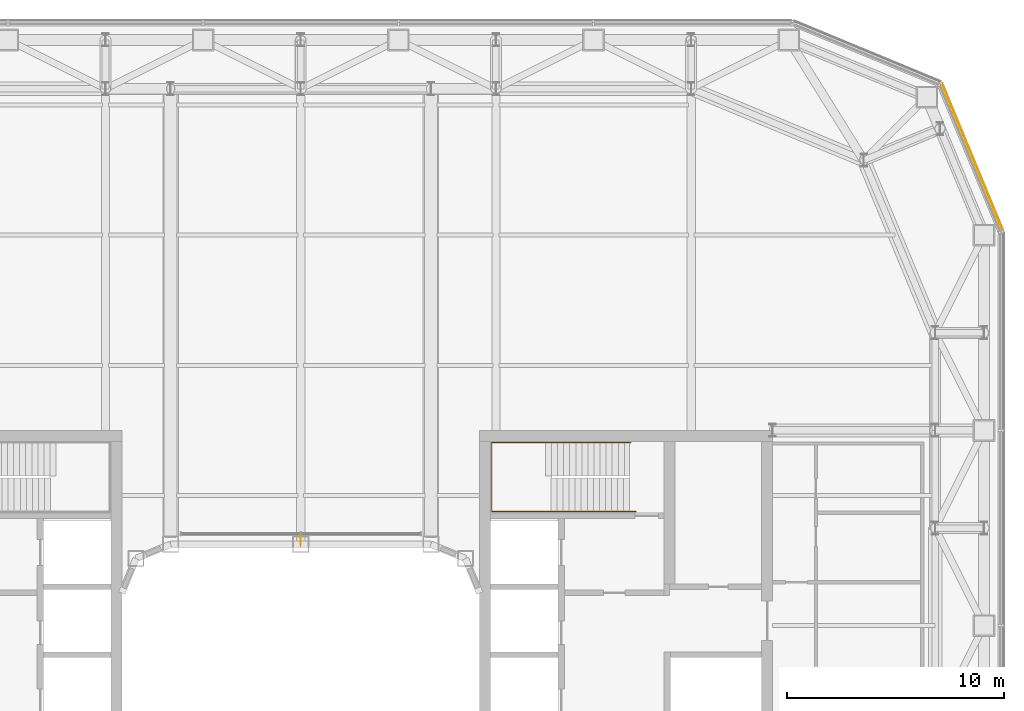
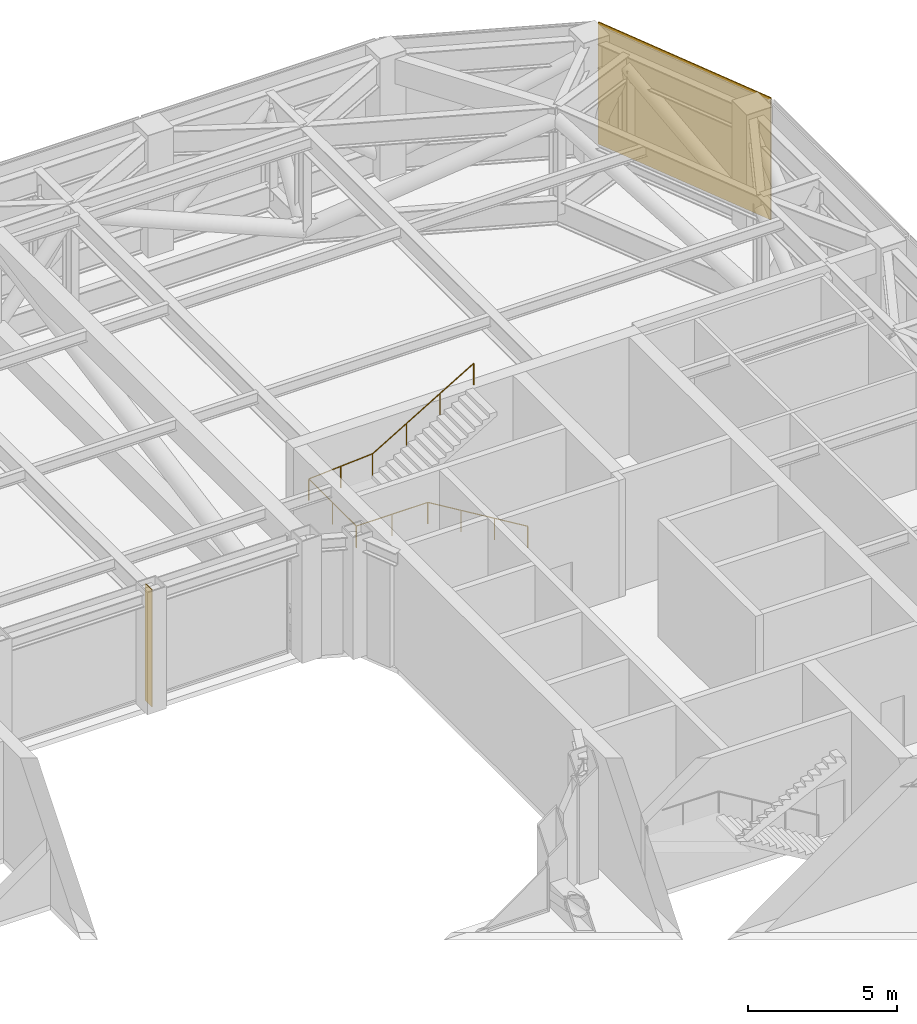
# One storey, part 32 of 33: 1 covering, 1 railing, 1 shading device.
"""IFC4 building model written with IfcOpenShell, lengths in metres."""

from ifc_helpers import new_model, si_unit, direction, frame, origin, origin_2d, place, context, subcontext, project, spatial, rectangle, circle, extrude, material, layer, layer_set, type_object, element, save


model = new_model("IFC4")

# Units and contexts
model_context = context("Model", 3, precision=1e-05, world=origin(), true_north=direction((0.0, 1.0)))
body_context = subcontext(model_context, "Body", "Model", "MODEL_VIEW")
ifc_project = project(units=[si_unit("LENGTHUNIT", "METRE"), si_unit("AREAUNIT", "SQUARE_METRE"), si_unit("VOLUMEUNIT", "CUBIC_METRE"), si_unit("PLANEANGLEUNIT", "RADIAN"), si_unit("MASSUNIT", "GRAM", prefix="KILO")], contexts=[model_context])

# Site, building, storey
site_placement = place(None, origin())
site = spatial("IfcSite", under=ifc_project, at=site_placement, CompositionType="ELEMENT")
building_placement = place(site_placement, origin())
building = spatial("IfcBuilding", under=site, at=building_placement, Name="Siwar Civic Tower", CompositionType="ELEMENT")
storey_placement = place(building_placement, frame((0.0, 0.0, 94.199951171875)))
storey = spatial("IfcBuildingStorey", under=building, at=storey_placement, Name="L20", CompositionType="ELEMENT", Elevation=94.199951171875)

# Railing
ifc_material_1 = material(Name="Stainless steel", Category="steel")
railing_type = type_object("IfcRailingType", Name="CORE-STAIR-HANDRAIL", PredefinedType="HANDRAIL", material=ifc_material_1)
railing_placement = place(storey_placement, frame((15.449951171875, 9.758056640625, 0.166748046875)))
element("IfcRailing", 1, at=railing_placement, inside=storey, type_object=railing_type, Name="Stair handrail ST3", PredefinedType="HANDRAIL", context=body_context, shape_type="SweptSolid", body=[
    extrude(circle(Radius=0.02001953125, at=origin_2d()), frame((0.0, 0.0, 0.8798828125), z_axis=(-0.856384976194, 0.0, 0.516337847296), x_axis=(0.0, -1.0, 0.0)), (0.0, 0.0, 1.0), 4.518798828125),
    extrude(circle(Radius=0.02001953125, at=origin_2d()), frame((-3.869873046875, 0.0, 3.213134765625), z_axis=(-1.0, 0.0, 0.0), x_axis=(0.0, -1.0, 0.0)), (0.0, 0.0, 1.0), 2.77197265625),
    extrude(circle(Radius=0.02001953125, at=origin_2d()), frame((-6.641845703125, 0.0, 3.213134765625), z_axis=(0.0, 1.0, 0.0), x_axis=(-1.0, 0.0, 0.0)), (0.0, 0.0, 1.0), 3.183837890625),
    extrude(circle(Radius=0.02001953125, at=origin_2d()), frame((-6.641845703125, 3.183837890625, 3.213134765625), z_axis=(0.997732526271, 0.0, 0.067303833624), x_axis=(0.0, 1.0, 0.0)), (0.0, 0.0, 1.0), 2.4775390625),
    extrude(circle(Radius=0.02001953125, at=origin_2d()), frame((-4.169921875, 3.183837890625, 3.3798828125), z_axis=(0.859296244711, 0.0, 0.511478214419), x_axis=(0.0, 1.0, 0.0)), (0.0, 0.0, 1.0), 4.561767578125),
    extrude(circle(Radius=0.02001953125, at=origin_2d()), origin(), (0.0, 0.0, 1.0), 0.85986328125),
    extrude(circle(Radius=0.02001953125, at=origin_2d()), frame((-1.2900390625, 0.0, 0.77783203125)), (0.0, 0.0, 1.0), 0.85986328125),
    extrude(circle(Radius=0.02001953125, at=origin_2d()), frame((-2.579833984375, 0.0, 1.555419921875)), (0.0, 0.0, 1.0), 0.85986328125),
    extrude(circle(Radius=0.02001953125, at=origin_2d()), frame((-3.869873046875, 0.0, 2.333251953125)), (0.0, 0.0, 1.0), 0.85986328125),
    extrude(circle(Radius=0.02001953125, at=origin_2d()), frame((-5.255859375, 0.0, 2.333251953125)), (0.0, 0.0, 1.0), 0.85986328125),
    extrude(circle(Radius=0.02001953125, at=origin_2d()), frame((-6.641845703125, 0.0, 2.333251953125)), (0.0, 0.0, 1.0), 0.85986328125),
    extrude(circle(Radius=0.02001953125, at=origin_2d()), frame((-6.641845703125, 1.591796875, 2.333251953125)), (0.0, 0.0, 1.0), 0.85986328125),
    extrude(circle(Radius=0.02001953125, at=origin_2d()), frame((-6.641845703125, 3.183837890625, 2.333251953125)), (0.0, 0.0, 1.0), 0.85986328125),
    extrude(circle(Radius=0.02001953125, at=origin_2d()), frame((-5.40576171875, 3.183837890625, 2.41650390625)), (0.0, 0.0, 1.0), 0.85986328125),
    extrude(circle(Radius=0.02001953125, at=origin_2d()), frame((-4.169921875, 3.183837890625, 2.5)), (0.0, 0.0, 1.0), 0.85986328125),
    extrude(circle(Radius=0.02001953125, at=origin_2d()), frame((-2.86328125, 3.183837890625, 3.27783203125)), (0.0, 0.0, 1.0), 0.85986328125),
    extrude(circle(Radius=0.02001953125, at=origin_2d()), frame((-1.556640625, 3.183837890625, 4.055419921875)), (0.0, 0.0, 1.0), 0.85986328125),
    extrude(circle(Radius=0.02001953125, at=origin_2d()), frame((-0.25, 3.183837890625, 4.833251953125)), (0.0, 0.0, 1.0), 0.85986328125),
])

# Shading device
ifc_material_2 = material(Name="Aluminium 6063-T6", Category="aluminium")
ifc_layer_1 = layer(ifc_material_2, 0.02001953125)
ifc_layer_set_1 = layer_set([ifc_layer_1], Name="Aluminium 6063-T6")
shading_device_type = type_object("IfcShadingDeviceType", Name="ENV-FIN", PredefinedType="JALOUSIE", material=ifc_layer_set_1)
shading_device_placement = place(storey_placement, frame((0.0, 8.419921875, 0.0), z_axis=(0.0, 0.0, 1.0), x_axis=(-1.0, 0.0, 0.0)))
element("IfcShadingDevice", 2, at=shading_device_placement, inside=storey, type_object=shading_device_type, Name="SUNSHADE fin WN-00 1", PredefinedType="JALOUSIE", context=body_context, shape_type="SweptSolid", body=[
    extrude(rectangle(XDim=0.02001953125, YDim=0.449951171875, at=origin_2d()), origin(), (0.0, 0.0, 1.0), 4.800048828125),
])

# Covering
ifc_material_3 = material(Name="Perforated aluminium cassette, pale metal", Category="aluminium")
ifc_layer_2 = layer(ifc_material_3, 0.0400390625)
ifc_layer_set_2 = layer_set([ifc_layer_2], Name="Perforated aluminium cassette, pale metal")
covering_type = type_object("IfcCoveringType", Name="ENV-OUTER SKIN OS-1", PredefinedType="CLADDING", material=ifc_layer_set_2)
covering_placement = place(storey_placement, frame((30.976318359375, 26.115966796875, -0.199951171875), z_axis=(0.0, 0.0, 1.0), x_axis=(-0.382683432365, 0.923879532511, 0.0)))
element("IfcCovering", 3, at=covering_placement, inside=storey, type_object=covering_type, Name="OUTER SKIN OS-1 NE1 1", PredefinedType="CLADDING", context=body_context, shape_type="SweptSolid", body=[
    extrude(rectangle(XDim=7.300048828125, YDim=0.0400390625, at=origin_2d()), origin(), (0.0, 0.0, 1.0), 5.0),
])

save(model, "model.ifc")
